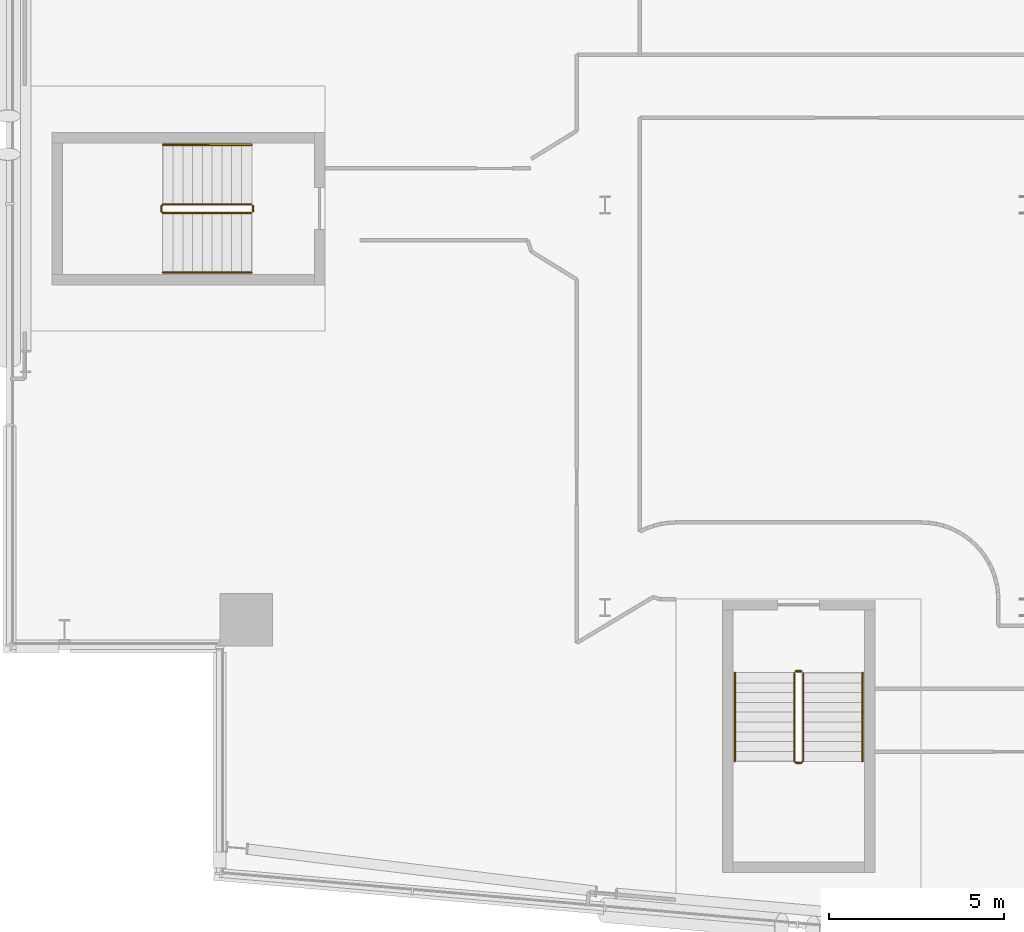
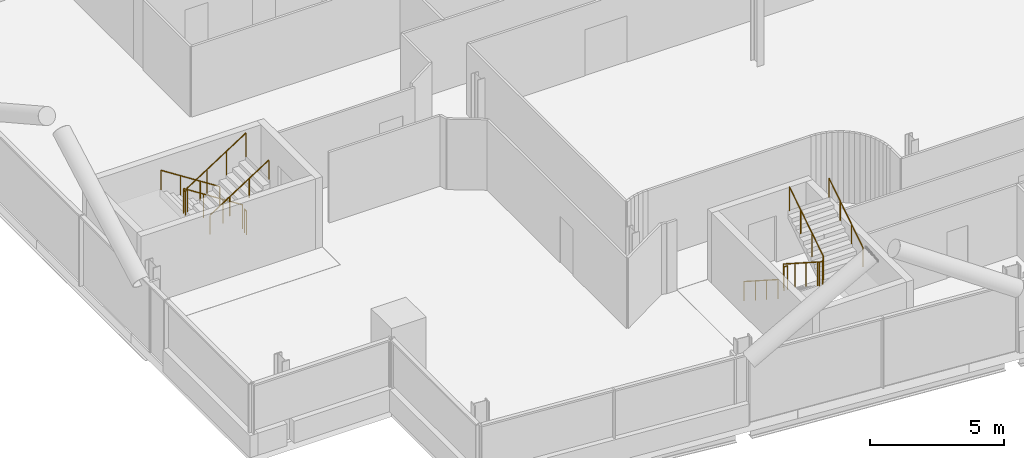
# One storey, part 27 of 29: 8 railings.
"""IFC4 building model written with IfcOpenShell, lengths in metres."""

from ifc_helpers import new_model, si_unit, direction, frame, origin, origin_2d, place, context, subcontext, project, spatial, circle, extrude, material, type_object, element, save


model = new_model("IFC4")

# Units and contexts
model_context = context("Model", 3, precision=1e-05, world=origin(), true_north=direction((0.0, 1.0)))
body_context = subcontext(model_context, "Body", "Model", "MODEL_VIEW")
ifc_project = project(units=[si_unit("LENGTHUNIT", "METRE"), si_unit("AREAUNIT", "SQUARE_METRE"), si_unit("VOLUMEUNIT", "CUBIC_METRE"), si_unit("PLANEANGLEUNIT", "RADIAN"), si_unit("MASSUNIT", "GRAM", prefix="KILO")], contexts=[model_context])

# Site, building, storey
site_placement = place(None, origin())
site = spatial("IfcSite", under=ifc_project, at=site_placement, CompositionType="ELEMENT")
building_placement = place(site_placement, origin())
building = spatial("IfcBuilding", under=site, at=building_placement, Name="Wharfspan Tower", CompositionType="ELEMENT")
storey_placement = place(building_placement, frame((0.0, 0.0, 155.5)))
storey = spatial("IfcBuildingStorey", under=building, at=storey_placement, Name="L37", CompositionType="ELEMENT", Elevation=155.5)

# Railings
ifc_material = material(Name="Steel S355J2", Category="steel")
railing_type_1 = type_object("IfcRailingType", Name="Stair guard 1100", PredefinedType="GUARDRAIL", material=ifc_material)
railing_1_placement = place(storey_placement, frame((13.899902, 23.024902, 0.179932)))
element("IfcRailing", 1, at=railing_1_placement, inside=storey, type_object=railing_type_1, Name="L37 ST3 stair guard 1", PredefinedType="GUARDRAIL", context=body_context, shape_type="SweptSolid", body=[
    extrude(circle(Radius=0.023926, at=origin_2d()), frame((0.0, 0.0, 1.076172), z_axis=(-0.841163, 0.0, 0.540782), x_axis=(0.0, -1.0, 0.0)), (0.0, 0.0, 1.0), 2.99585),
    extrude(circle(Radius=0.023926, at=origin_2d()), frame((-2.52002, 0.0, 2.696289), z_axis=(-0.707107, -0.707107, 0.0), x_axis=(0.707107, -0.707107, 0.0)), (0.0, 0.0, 1.0), 0.070312),
    extrude(circle(Radius=0.023926, at=origin_2d()), frame((-2.569824, -0.049805, 2.696289), z_axis=(0.0, -1.0, 0.0), x_axis=(1.0, 0.0, 0.0)), (0.0, 0.0, 1.0), 0.150146),
    extrude(circle(Radius=0.023926, at=origin_2d()), frame((-2.569824, -0.199951, 2.696289), z_axis=(0.257669, -0.258932, 0.930892), x_axis=(0.708833, 0.705372, -1e-06)), (0.0, 0.0, 1.0), 0.193359),
    extrude(circle(Radius=0.023926, at=origin_2d()), frame((-2.52002, -0.25, 2.875977), z_axis=(0.841163, 0.0, 0.540782), x_axis=(0.0, 1.0, 0.0)), (0.0, 0.0, 1.0), 2.99585),
    extrude(circle(Radius=0.020996, at=origin_2d()), origin(), (0.0, 0.0, 1.0), 1.052002),
    extrude(circle(Radius=0.020996, at=origin_2d()), frame((-0.840088, 0.0, 0.540039)), (0.0, 0.0, 1.0), 1.052002),
    extrude(circle(Radius=0.020996, at=origin_2d()), frame((-1.679932, 0.0, 1.080078)), (0.0, 0.0, 1.0), 1.052002),
    extrude(circle(Radius=0.020996, at=origin_2d()), frame((-2.52002, 0.0, 1.620117)), (0.0, 0.0, 1.0), 1.052002),
    extrude(circle(Radius=0.020996, at=origin_2d()), frame((-2.569824, -0.049805, 1.620117)), (0.0, 0.0, 1.0), 1.052002),
    extrude(circle(Radius=0.020996, at=origin_2d()), frame((-2.569824, -0.199951, 1.620117)), (0.0, 0.0, 1.0), 1.052002),
    extrude(circle(Radius=0.020996, at=origin_2d()), frame((-2.52002, -0.25, 1.800049)), (0.0, 0.0, 1.0), 1.052002),
    extrude(circle(Radius=0.020996, at=origin_2d()), frame((-1.679932, -0.25, 2.340088)), (0.0, 0.0, 1.0), 1.052002),
    extrude(circle(Radius=0.020996, at=origin_2d()), frame((-0.840088, -0.25, 2.880127)), (0.0, 0.0, 1.0), 1.052002),
    extrude(circle(Radius=0.020996, at=origin_2d()), frame((0.0, -0.25, 3.420166)), (0.0, 0.0, 1.0), 1.052002),
])
railing_2_placement = place(storey_placement, frame((13.949951, 22.975098, 0.0)))
element("IfcRailing", 2, at=railing_2_placement, inside=storey, type_object=railing_type_1, Name="L37 ST3 stair guard 2", PredefinedType="GUARDRAIL", context=body_context, shape_type="SweptSolid", body=[
    extrude(circle(Radius=0.023926, at=origin_2d()), frame((0.0, 0.0, 1.076172), z_axis=(0.0, -1.0, 0.0), x_axis=(1.0, 0.0, 0.0)), (0.0, 0.0, 1.0), 0.150146),
    extrude(circle(Radius=0.020996, at=origin_2d()), origin(), (0.0, 0.0, 1.0), 1.052002),
    extrude(circle(Radius=0.020996, at=origin_2d()), frame((0.0, -0.150146, 0.0)), (0.0, 0.0, 1.0), 1.052002),
])
railing_3_placement = place(storey_placement, frame((29.414307, 9.634277, 0.179932)))
element("IfcRailing", 3, at=railing_3_placement, inside=storey, type_object=railing_type_1, Name="L37 ST4 stair guard 1", PredefinedType="GUARDRAIL", context=body_context, shape_type="SweptSolid", body=[
    extrude(circle(Radius=0.023926, at=origin_2d()), frame((0.0, 0.0, 1.076172), z_axis=(0.0, -0.841163, 0.540782), x_axis=(1.0, 0.0, 0.0)), (0.0, 0.0, 1.0), 2.99585),
    extrude(circle(Radius=0.023926, at=origin_2d()), frame((0.0, -2.52002, 2.696289), z_axis=(0.705376, -0.708834, 0.0), x_axis=(0.708834, 0.705376, 0.0)), (0.0, 0.0, 1.0), 0.070557),
    extrude(circle(Radius=0.023926, at=origin_2d()), frame((0.049805, -2.570068, 2.696289), z_axis=(1.0, 0.0, 0.0), x_axis=(0.0, 1.0, 0.0)), (0.0, 0.0, 1.0), 0.150146),
    extrude(circle(Radius=0.023926, at=origin_2d()), frame((0.199951, -2.570068, 2.696289), z_axis=(0.258848, 0.258848, 0.930589), x_axis=(-0.707107, 0.707107, 0.0)), (0.0, 0.0, 1.0), 0.193359),
    extrude(circle(Radius=0.023926, at=origin_2d()), frame((0.25, -2.52002, 2.875977), z_axis=(0.0, 0.841163, 0.540782), x_axis=(-1.0, 0.0, 0.0)), (0.0, 0.0, 1.0), 2.99585),
    extrude(circle(Radius=0.020996, at=origin_2d()), origin(), (0.0, 0.0, 1.0), 1.052002),
    extrude(circle(Radius=0.020996, at=origin_2d()), frame((0.0, -0.840088, 0.540039)), (0.0, 0.0, 1.0), 1.052002),
    extrude(circle(Radius=0.020996, at=origin_2d()), frame((0.0, -1.679932, 1.080078)), (0.0, 0.0, 1.0), 1.052002),
    extrude(circle(Radius=0.020996, at=origin_2d()), frame((0.0, -2.52002, 1.620117)), (0.0, 0.0, 1.0), 1.052002),
    extrude(circle(Radius=0.020996, at=origin_2d()), frame((0.049805, -2.570068, 1.620117)), (0.0, 0.0, 1.0), 1.052002),
    extrude(circle(Radius=0.020996, at=origin_2d()), frame((0.199951, -2.570068, 1.620117)), (0.0, 0.0, 1.0), 1.052002),
    extrude(circle(Radius=0.020996, at=origin_2d()), frame((0.25, -2.52002, 1.800049)), (0.0, 0.0, 1.0), 1.052002),
    extrude(circle(Radius=0.020996, at=origin_2d()), frame((0.25, -1.679932, 2.340088)), (0.0, 0.0, 1.0), 1.052002),
    extrude(circle(Radius=0.020996, at=origin_2d()), frame((0.25, -0.840088, 2.880127)), (0.0, 0.0, 1.0), 1.052002),
    extrude(circle(Radius=0.020996, at=origin_2d()), frame((0.25, 0.0, 3.420166)), (0.0, 0.0, 1.0), 1.052002),
])
railing_4_placement = place(storey_placement, frame((29.464111, 9.684326, 0.0)))
element("IfcRailing", 4, at=railing_4_placement, inside=storey, type_object=railing_type_1, Name="L37 ST4 stair guard 2", PredefinedType="GUARDRAIL", context=body_context, shape_type="SweptSolid", body=[
    extrude(circle(Radius=0.023926, at=origin_2d()), frame((0.0, 0.0, 1.076172), z_axis=(1.0, 0.0, 0.0), x_axis=(0.0, 1.0, 0.0)), (0.0, 0.0, 1.0), 0.150146),
    extrude(circle(Radius=0.020996, at=origin_2d()), origin(), (0.0, 0.0, 1.0), 1.052002),
    extrude(circle(Radius=0.020996, at=origin_2d()), frame((0.150146, 0.0, 0.0)), (0.0, 0.0, 1.0), 1.052002),
])
railing_type_2 = type_object("IfcRailingType", Name="Stair handrail 900", PredefinedType="HANDRAIL", material=ifc_material)
railing_5_placement = place(storey_placement, frame((13.899902, 24.725098, 0.179932)))
element("IfcRailing", 5, at=railing_5_placement, inside=storey, type_object=railing_type_2, Name="L37 ST3 stair handrail 1", PredefinedType="HANDRAIL", context=body_context, shape_type="SweptSolid", body=[
    extrude(circle(Radius=0.023926, at=origin_2d()), frame((0.0, 0.0, 0.875977), z_axis=(-0.841163, 0.0, 0.540782), x_axis=(0.0, -1.0, 0.0)), (0.0, 0.0, 1.0), 2.99585),
    extrude(circle(Radius=0.020996, at=origin_2d()), origin(), (0.0, 0.0, 1.0), 0.851807),
    extrude(circle(Radius=0.020996, at=origin_2d()), frame((-0.840088, 0.0, 0.540039)), (0.0, 0.0, 1.0), 0.851807),
    extrude(circle(Radius=0.020996, at=origin_2d()), frame((-1.679932, 0.0, 1.080078)), (0.0, 0.0, 1.0), 0.851807),
    extrude(circle(Radius=0.020996, at=origin_2d()), frame((-2.52002, 0.0, 1.620117)), (0.0, 0.0, 1.0), 0.851807),
])
railing_6_placement = place(storey_placement, frame((11.379883, 21.074951, 1.97998)))
element("IfcRailing", 6, at=railing_6_placement, inside=storey, type_object=railing_type_2, Name="L37 ST3 stair handrail 2", PredefinedType="HANDRAIL", context=body_context, shape_type="SweptSolid", body=[
    extrude(circle(Radius=0.023926, at=origin_2d()), frame((0.0, 0.0, 0.875977), z_axis=(0.841163, 0.0, 0.540782), x_axis=(0.0, 1.0, 0.0)), (0.0, 0.0, 1.0), 2.99585),
    extrude(circle(Radius=0.020996, at=origin_2d()), origin(), (0.0, 0.0, 1.0), 0.851807),
    extrude(circle(Radius=0.020996, at=origin_2d()), frame((0.840088, 0.0, 0.540039)), (0.0, 0.0, 1.0), 0.851807),
    extrude(circle(Radius=0.020996, at=origin_2d()), frame((1.679932, 0.0, 1.080078)), (0.0, 0.0, 1.0), 0.851807),
    extrude(circle(Radius=0.020996, at=origin_2d()), frame((2.52002, 0.0, 1.620117)), (0.0, 0.0, 1.0), 0.851807),
])
railing_7_placement = place(storey_placement, frame((27.714111, 9.634277, 0.179932)))
element("IfcRailing", 7, at=railing_7_placement, inside=storey, type_object=railing_type_2, Name="L37 ST4 stair handrail 1", PredefinedType="HANDRAIL", context=body_context, shape_type="SweptSolid", body=[
    extrude(circle(Radius=0.023926, at=origin_2d()), frame((0.0, 0.0, 0.875977), z_axis=(0.0, -0.841163, 0.540782), x_axis=(1.0, 0.0, 0.0)), (0.0, 0.0, 1.0), 2.99585),
    extrude(circle(Radius=0.020996, at=origin_2d()), origin(), (0.0, 0.0, 1.0), 0.851807),
    extrude(circle(Radius=0.020996, at=origin_2d()), frame((0.0, -0.840088, 0.540039)), (0.0, 0.0, 1.0), 0.851807),
    extrude(circle(Radius=0.020996, at=origin_2d()), frame((0.0, -1.679932, 1.080078)), (0.0, 0.0, 1.0), 0.851807),
    extrude(circle(Radius=0.020996, at=origin_2d()), frame((0.0, -2.52002, 1.620117)), (0.0, 0.0, 1.0), 0.851807),
])
railing_8_placement = place(storey_placement, frame((31.364258, 7.114258, 1.97998)))
element("IfcRailing", 8, at=railing_8_placement, inside=storey, type_object=railing_type_2, Name="L37 ST4 stair handrail 2", PredefinedType="HANDRAIL", context=body_context, shape_type="SweptSolid", body=[
    extrude(circle(Radius=0.023926, at=origin_2d()), frame((0.0, 0.0, 0.875977), z_axis=(0.0, 0.841163, 0.540782), x_axis=(-1.0, 0.0, 0.0)), (0.0, 0.0, 1.0), 2.99585),
    extrude(circle(Radius=0.020996, at=origin_2d()), origin(), (0.0, 0.0, 1.0), 0.851807),
    extrude(circle(Radius=0.020996, at=origin_2d()), frame((0.0, 0.840088, 0.540039)), (0.0, 0.0, 1.0), 0.851807),
    extrude(circle(Radius=0.020996, at=origin_2d()), frame((0.0, 1.679932, 1.080078)), (0.0, 0.0, 1.0), 0.851807),
    extrude(circle(Radius=0.020996, at=origin_2d()), frame((0.0, 2.52002, 1.620117)), (0.0, 0.0, 1.0), 0.851807),
])

save(model, "model.ifc")
